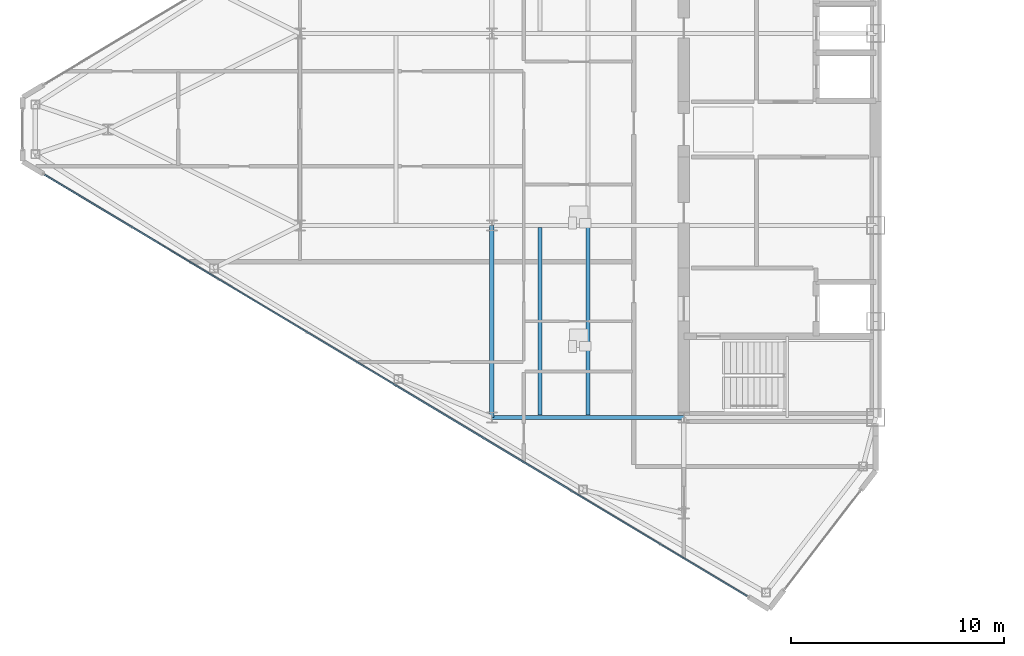
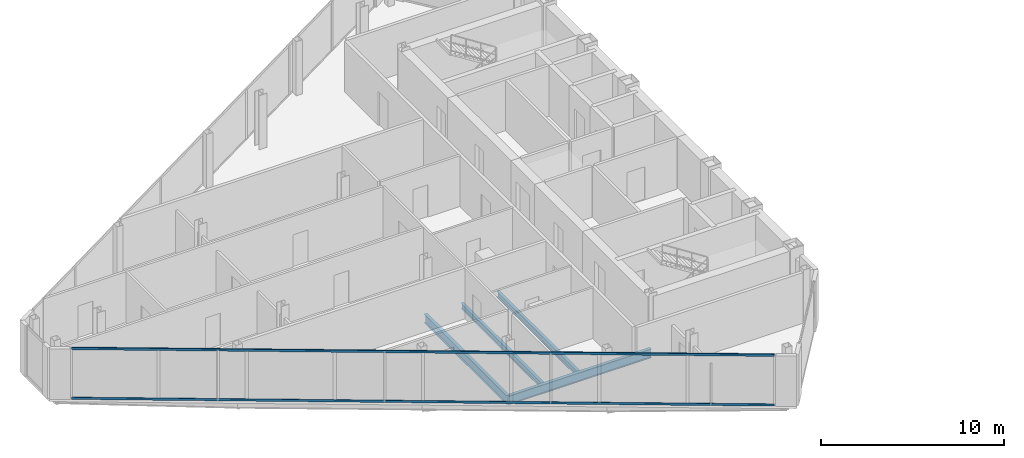
# One storey, part 6 of 26: 4 beams, 2 members, 1 element without a shape of its own.
"""IFC4 building model written with IfcOpenShell, lengths in metres."""

import ifcopenshell
import ifcopenshell.guid

model = None  # the IFC model being written
_history = None  # IfcOwnerHistory: only IFC2X3 demands one
_inside = {}  # id of a spatial element -> (the spatial element, [elements in it])
_under = {}  # id of a project, library or spatial element -> (it, [spatial elements below it])
_declared = {}  # id of a project -> (the project, [libraries it declares])
_typed = {}  # id of a type object -> (the type object, [elements of that type])
_made_of = {}  # id of a material, layer set ... -> (it, [elements and type objects made of it])


def new_model(schema):
    """Start an empty IFC model of exactly this schema.

    Asked for "IFC4X3", IfcOpenShell would pick the latest addendum, in which some entities
    have other attributes; the version numbers below select the first issue.
    IFC2X3 requires an IfcOwnerHistory on every rooted entity: one is made here for all.
    """
    global model, _history
    if schema == "IFC4X3":
        model = ifcopenshell.file(schema_version=(4, 3, 0, 0))
    else:
        model = ifcopenshell.file(schema=schema)
    _inside.clear()
    _under.clear()
    _declared.clear()
    _typed.clear()
    _made_of.clear()
    _history = None
    if model.schema == "IFC2X3":
        org = make("IfcOrganization", Name="unknown")
        user = make(
            "IfcPersonAndOrganization",
            ThePerson=make("IfcPerson", FamilyName="unknown"),
            TheOrganization=org,
        )
        app = make(
            "IfcApplication",
            ApplicationDeveloper=org,
            Version="unknown",
            ApplicationFullName="unknown",
            ApplicationIdentifier="unknown",
        )
        _history = make(
            "IfcOwnerHistory",
            OwningUser=user,
            OwningApplication=app,
            ChangeAction="ADDED",
            CreationDate=0,
        )
    return model


def make(cls, **values):
    """One entity of the class cls with the attributes given. An attribute that is None is left unset."""
    return model.create_entity(
        cls, **{name: value for name, value in values.items() if value is not None}
    )


def rooted(cls, **values):
    """An entity with a GlobalId (a new one), such as an element, a storey or a relation."""
    return make(cls, GlobalId=ifcopenshell.guid.new(), OwnerHistory=_history, **values)


def si_unit(unit_type, name, prefix=None):
    """IfcSIUnit, for example si_unit("LENGTHUNIT", "METRE", prefix="MILLI")."""
    return make("IfcSIUnit", UnitType=unit_type, Prefix=prefix, Name=name)


def assignment(units):
    """IfcUnitAssignment: the units of a project."""
    return None if units is None else make("IfcUnitAssignment", Units=units)


def point(xyz):
    """IfcCartesianPoint."""
    return None if xyz is None else make("IfcCartesianPoint", Coordinates=xyz)


def direction(xyz):
    """IfcDirection."""
    return None if xyz is None else make("IfcDirection", DirectionRatios=xyz)


def frame(location, z_axis=None, x_axis=None):
    """IfcAxis2Placement3D, a coordinate frame: its origin and axes. An axis left out is left unset."""
    return make(
        "IfcAxis2Placement3D",
        Location=point(location),
        Axis=direction(z_axis),
        RefDirection=direction(x_axis),
    )


def frame_2d(location, x_axis=None):
    """IfcAxis2Placement2D, a coordinate frame in the plane: its origin and x axis."""
    return make(
        "IfcAxis2Placement2D", Location=point(location), RefDirection=direction(x_axis)
    )


def origin():
    """The frame at (0, 0, 0) with its axes left unset."""
    return frame((0.0, 0.0, 0.0))


def origin_2d():
    """The frame at (0, 0) in the plane with its x axis left unset."""
    return frame_2d((0.0, 0.0))


def place(relative_to, where):
    """IfcLocalPlacement: puts the frame where relative to a parent placement (None: the world)."""
    return make(
        "IfcLocalPlacement", PlacementRelTo=relative_to, RelativePlacement=where
    )


def context(
    kind, dimensions, precision=None, world=None, true_north=None, identifier=None
):
    """IfcGeometricRepresentationContext, for example the 3D "Model" context."""
    return make(
        "IfcGeometricRepresentationContext",
        ContextIdentifier=identifier,
        ContextType=kind,
        CoordinateSpaceDimension=dimensions,
        Precision=precision,
        WorldCoordinateSystem=world,
        TrueNorth=true_north,
    )


def subcontext(parent, identifier, kind, view, scale=None):
    """IfcGeometricRepresentationSubContext, for example "Body" below "Model"."""
    return make(
        "IfcGeometricRepresentationSubContext",
        ContextIdentifier=identifier,
        ContextType=kind,
        ParentContext=parent,
        TargetScale=scale,
        TargetView=view,
    )


def project(units=None, contexts=None):
    """IfcProject with its units and contexts."""
    return rooted(
        "IfcProject",
        Name="project",
        RepresentationContexts=contexts,
        UnitsInContext=assignment(units),
    )


def spatial(cls, under=None, at=None, **own):
    """A site, building, storey or space (cls), placed at a placement, below another one or the project."""
    s = rooted(cls, ObjectPlacement=at, **own)
    if under is not None:
        _under.setdefault(under.id(), (under, []))[1].append(s)
    return s


def profile(cls, at=None, kind="AREA", **sizes):
    """A parametric profile (cls). Its sizes go by their IFC names, for example OverallWidth=200.0."""
    return make(cls, ProfileType=kind, Position=at, **sizes)


def rectangle(**sizes):
    """IfcRectangleProfileDef."""
    return profile("IfcRectangleProfileDef", **sizes)


def i_section(**sizes):
    """IfcIShapeProfileDef."""
    return profile("IfcIShapeProfileDef", **sizes)


def extrude(swept, where, along, depth):
    """IfcExtrudedAreaSolid: the profile swept, set in the frame where, extruded along a direction by depth."""
    return make(
        "IfcExtrudedAreaSolid",
        SweptArea=swept,
        Position=where,
        ExtrudedDirection=direction(along),
        Depth=depth,
    )


def shape(context_of_items, identifier, shape_type, items):
    """IfcShapeRepresentation: the items that make up one representation, for example the "Body"."""
    return make(
        "IfcShapeRepresentation",
        ContextOfItems=context_of_items,
        RepresentationIdentifier=identifier,
        RepresentationType=shape_type,
        Items=items,
    )


def source(mapping_origin, context_of_items, identifier, shape_type, items):
    """IfcRepresentationMap: a shape defined once, which mapped items show again and again."""
    return make(
        "IfcRepresentationMap",
        MappingOrigin=mapping_origin,
        MappedRepresentation=shape(context_of_items, identifier, shape_type, items),
    )


def transform(
    local_origin,
    x_axis=None,
    y_axis=None,
    z_axis=None,
    scale=None,
    scale2=None,
    scale3=None,
    uniform=True,
):
    """IfcCartesianTransformationOperator3D, or its non-uniform kind. x_axis, y_axis, z_axis: its Axis1, 2, 3."""
    if uniform:
        return make(
            "IfcCartesianTransformationOperator3D",
            Axis1=direction(x_axis),
            Axis2=direction(y_axis),
            LocalOrigin=point(local_origin),
            Scale=scale,
            Axis3=direction(z_axis),
        )
    return make(
        "IfcCartesianTransformationOperator3DnonUniform",
        Axis1=direction(x_axis),
        Axis2=direction(y_axis),
        LocalOrigin=point(local_origin),
        Scale=scale,
        Axis3=direction(z_axis),
        Scale2=scale2,
        Scale3=scale3,
    )


def mapped(mapping_source, mapping_target):
    """IfcMappedItem: shows the shape of a source again, moved by a transform."""
    return make(
        "IfcMappedItem", MappingSource=mapping_source, MappingTarget=mapping_target
    )


def material(Name=None, Category=None):
    """IfcMaterial."""
    return make("IfcMaterial", Name=Name, Category=Category)


def layer(
    of_material, thickness, ventilated=None, Name=None, Category=None, Priority=None
):
    """IfcMaterialLayer: one layer of a wall or slab, of a material (None: an air gap)."""
    return make(
        "IfcMaterialLayer",
        Material=of_material,
        LayerThickness=thickness,
        IsVentilated=ventilated,
        Name=Name,
        Category=Category,
        Priority=Priority,
    )


def layer_set(layers, Name=None):
    """IfcMaterialLayerSet."""
    return make("IfcMaterialLayerSet", MaterialLayers=layers, LayerSetName=Name)


def material_profile(
    of_material, cross_section, Name=None, Category=None, Priority=None
):
    """IfcMaterialProfile: a cross section and its material."""
    return make(
        "IfcMaterialProfile",
        Name=Name,
        Material=of_material,
        Profile=cross_section,
        Priority=Priority,
        Category=Category,
    )


def profile_set(profiles, Name=None, composite=None):
    """IfcMaterialProfileSet."""
    return make(
        "IfcMaterialProfileSet",
        Name=Name,
        MaterialProfiles=profiles,
        CompositeProfile=composite,
    )


def made_of(thing, what):
    """Note that an element or type object is made of a material, layer set ...; save() writes the relation."""
    if what is not None:
        _made_of.setdefault(what.id(), (what, []))[1].append(thing)
    return thing


def type_object(cls, material=None, **own):
    """A type object (cls), such as IfcWallType, which elements share."""
    return made_of(rooted(cls, **own), material)


def type_shapes(of_type, sources):
    """Give a type object the sources (RepresentationMaps) that its elements show as mapped items."""
    of_type.RepresentationMaps = sources


def element(
    cls,
    number,
    at=None,
    inside=None,
    cuts=None,
    type_object=None,
    material=None,
    context=None,
    identifier="Body",
    shape_type=None,
    held_by="IfcProductDefinitionShape",
    body=None,
    shapes=None,
    **own,
):
    """One element of the class cls, such as IfcWall. Its Tag is "e" and its number.

    at: its placement. inside: the storey or other place that contains it. cuts: it is an
    opening in that element (IfcRelVoidsElement). A single representation is given by context,
    identifier, shape_type and body (its items); several are given by shapes. held_by: the class
    of the entity that holds the representations. save() writes the other relations.
    """
    e = rooted(cls, Tag="e%d" % number, ObjectPlacement=at, **own)
    if body is not None:
        shapes = [shape(context, identifier, shape_type, body)]
    if shapes is not None:
        e.Representation = make(held_by, Representations=shapes)
    if inside is not None:
        _inside.setdefault(inside.id(), (inside, []))[1].append(e)
    if cuts is not None:
        rooted(
            "IfcRelVoidsElement", RelatingBuildingElement=cuts, RelatedOpeningElement=e
        )
    if type_object is not None:
        _typed.setdefault(type_object.id(), (type_object, []))[1].append(e)
    return made_of(e, material)


def aggregate(whole, parts):
    """IfcRelAggregates: a whole, such as a stair, and the parts it consists of."""
    return rooted("IfcRelAggregates", RelatingObject=whole, RelatedObjects=parts)


def save(model, path):
    """Write the relations noted so far, then the file.

    IfcRelAggregates (storeys below a building ...), IfcRelContainedInSpatialStructure (elements
    in a storey), IfcRelDefinesByType, IfcRelAssociatesMaterial and IfcRelDeclares: one each for
    every whole, place, type object, material and project.
    """
    for whole, parts in _under.values():
        aggregate(whole, parts)
    for where, things in _inside.values():
        rooted(
            "IfcRelContainedInSpatialStructure",
            RelatedElements=things,
            RelatingStructure=where,
        )
    for kind, things in _typed.values():
        rooted("IfcRelDefinesByType", RelatedObjects=things, RelatingType=kind)
    for what, things in _made_of.values():
        rooted("IfcRelAssociatesMaterial", RelatedObjects=things, RelatingMaterial=what)
    for by, libraries in _declared.values():
        rooted("IfcRelDeclares", RelatingContext=by, RelatedDefinitions=libraries)
    model.write(path)


model = new_model("IFC4")

# Units and contexts
model_context = context("Model", 3, precision=1e-05, world=origin(), true_north=direction((0.0, 1.0)))
body_context = subcontext(model_context, "Body", "Model", "MODEL_VIEW")
ifc_project = project(units=[si_unit("LENGTHUNIT", "METRE"), si_unit("AREAUNIT", "SQUARE_METRE"), si_unit("VOLUMEUNIT", "CUBIC_METRE"), si_unit("PLANEANGLEUNIT", "RADIAN"), si_unit("MASSUNIT", "GRAM", prefix="KILO")], contexts=[model_context])

# Site, building, storey
site_placement = place(None, origin())
site = spatial("IfcSite", under=ifc_project, at=site_placement, CompositionType="ELEMENT")
building_placement = place(site_placement, origin())
building = spatial("IfcBuilding", under=site, at=building_placement, Name="Seokmaru Belvedere", CompositionType="ELEMENT")
storey_placement = place(building_placement, frame((0.0, 0.0, 199.5)))
storey = spatial("IfcBuildingStorey", under=building, at=storey_placement, Name="L53", CompositionType="ELEMENT", Elevation=199.5)

# Beams
ifc_material_1 = material(Name="Steel SM355 (355 MPa)", Category="steel")
ifc_material_profile_1 = material_profile(ifc_material_1, i_section(OverallWidth=0.199951171875, OverallDepth=0.60009765625, WebThickness=0.010986328125, FlangeThickness=0.01708984375, at=origin_2d()), Name="H-600x200x11x17")
ifc_profile_set_1 = profile_set([ifc_material_profile_1], Name="Steel SM355 (355 MPa)")
beam_type_1 = type_object("IfcBeamType", Name="Primary Floor Girder H-600", PredefinedType="BEAM", material=ifc_profile_set_1)
shared_shape_1 = source(origin(), body_context, "Body", "SweptSolid", [
    extrude(i_section(OverallWidth=0.199951171875, OverallDepth=0.60009765625, WebThickness=0.010986328125, FlangeThickness=0.01708984375, at=origin_2d()), origin(), (0.0, 0.0, 1.0), 9.0),
])
type_shapes(beam_type_1, [shared_shape_1])
for number, where, z_axis, x_axis, name in (
    (1, (-45.5, -13.5, -0.52001953125), (0.0, 1.0, 0.0), (-1.0, 0.0, 0.0), "L53 W Interior Grid Girder 1"),
    (2, (-45.5, -13.5, -0.52001953125), (1.0, 0.0, 0.0), (0.0, 1.0, 0.0), "L53 W Wing Primary Girder 1"),
):
    element("IfcBeam", number, at=place(storey_placement, frame(where, z_axis=z_axis, x_axis=x_axis)), inside=storey, type_object=beam_type_1, Name=name, PredefinedType="BEAM", context=body_context, shape_type="MappedRepresentation", body=[
        mapped(shared_shape_1, transform((0.0, 0.0, 0.0), scale=1.0)),
    ])
ifc_material_profile_2 = material_profile(ifc_material_1, i_section(OverallWidth=0.18505859375, OverallDepth=0.389892578125, WebThickness=0.008056640625, FlangeThickness=0.011962890625, at=origin_2d()), Name="H-390x185x8x12")
ifc_profile_set_2 = profile_set([ifc_material_profile_2], Name="Steel SM355 (355 MPa)")
beam_type_2 = type_object("IfcBeamType", Name="Secondary Floor Joist H-350", PredefinedType="JOIST", material=ifc_profile_set_2)
shared_shape_2 = source(origin(), body_context, "Body", "SweptSolid", [
    extrude(i_section(OverallWidth=0.18505859375, OverallDepth=0.389892578125, WebThickness=0.008056640625, FlangeThickness=0.011962890625, at=origin_2d()), origin(), (0.0, 0.0, 1.0), 8.7900390625),
])
type_shapes(beam_type_2, [shared_shape_2])
for number, where, z_axis, x_axis, name in (
    (3, (-43.25, -13.39501953125, -0.4150390625), (0.0, 1.0, 0.0), (-1.0, 0.0, 0.0), "L53 W Wing Inner Secondary Joist 1"),
    (4, (-41.0, -13.39501953125, -0.4150390625), (0.0, 1.0, 0.0), (-1.0, 0.0, 0.0), "L53 W Secondary Floor Joist 1"),
):
    element("IfcBeam", number, at=place(storey_placement, frame(where, z_axis=z_axis, x_axis=x_axis)), inside=storey, type_object=beam_type_2, Name=name, PredefinedType="JOIST", context=body_context, shape_type="MappedRepresentation", body=[
        mapped(shared_shape_2, transform((0.0, 0.0, 0.0), scale=1.0)),
    ])

# Curtain wall, members
ifc_material_2 = material(Name="Bronze Triple Insulating Glass", Category="glass")
ifc_layer = layer(ifc_material_2, 0.179931640625)
ifc_layer_set = layer_set([ifc_layer], Name="Bronze Triple Insulating Glass")
curtain_wall_type = type_object("IfcCurtainWallType", Name="High-Rise Wind-Corner Curtain Wall System CW-5", PredefinedType="NOTDEFINED", material=ifc_layer_set)
curtain_wall_placement = place(storey_placement, origin())
curtain_wall = element("IfcCurtainWall", 5, at=curtain_wall_placement, inside=storey, type_object=curtain_wall_type, Name="L53 Curtain Wall WF5", PredefinedType="NOTDEFINED")
ifc_material_3 = material(Name="Anodised Bronze Aluminium", Category="aluminium")
ifc_material_profile_3 = material_profile(ifc_material_3, rectangle(XDim=0.06494140625, YDim=0.14990234375, at=origin_2d()), Name="CW-T-65x150")
ifc_profile_set_3 = profile_set([ifc_material_profile_3], Name="Anodised Bronze Aluminium")
member_type = type_object("IfcMemberType", Name="Bronze Unitised Transom 65x150", PredefinedType="USERDEFINED", material=ifc_profile_set_3)
shared_shape_3 = source(origin(), body_context, "Body", "SweptSolid", [
    extrude(rectangle(XDim=0.06494140625, YDim=0.14990234375, at=origin_2d()), origin(), (0.0, 0.0, 1.0), 38.386962890625),
])
type_shapes(member_type, [shared_shape_3])
member_1_placement = place(storey_placement, frame((-66.458251953125, -2.125, 0.032470703125), z_axis=(0.85749180336, -0.514497626011, 0.0), x_axis=(0.514497626011, 0.85749180336, 0.0)))
member_1 = element("IfcMember", 6, at=member_1_placement, type_object=member_type, Name="CW:L53:WF5 Continuous Transom 1", ObjectType="TRANSOM", PredefinedType="USERDEFINED", context=body_context, shape_type="MappedRepresentation", body=[
    mapped(shared_shape_3, transform((0.0, 0.0, 0.0), scale=1.0)),
])
member_2_placement = place(storey_placement, frame((-66.458251953125, -2.125, 3.347412109375), z_axis=(0.85749180336, -0.514497626011, 0.0), x_axis=(0.514497626011, 0.85749180336, 0.0)))
member_2 = element("IfcMember", 7, at=member_2_placement, type_object=member_type, Name="CW:L53:WF5 Continuous Transom 2", ObjectType="TRANSOM", PredefinedType="USERDEFINED", context=body_context, shape_type="MappedRepresentation", body=[
    mapped(shared_shape_3, transform((0.0, 0.0, 0.0), scale=1.0)),
])
aggregate(curtain_wall, [member_1, member_2])

save(model, "model.ifc")
